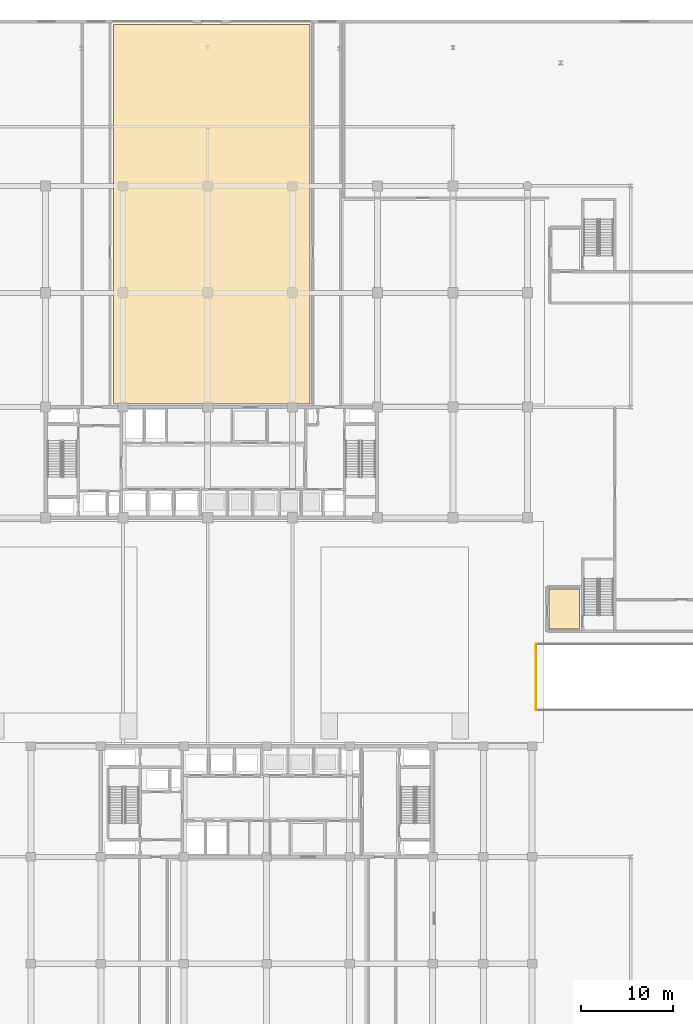
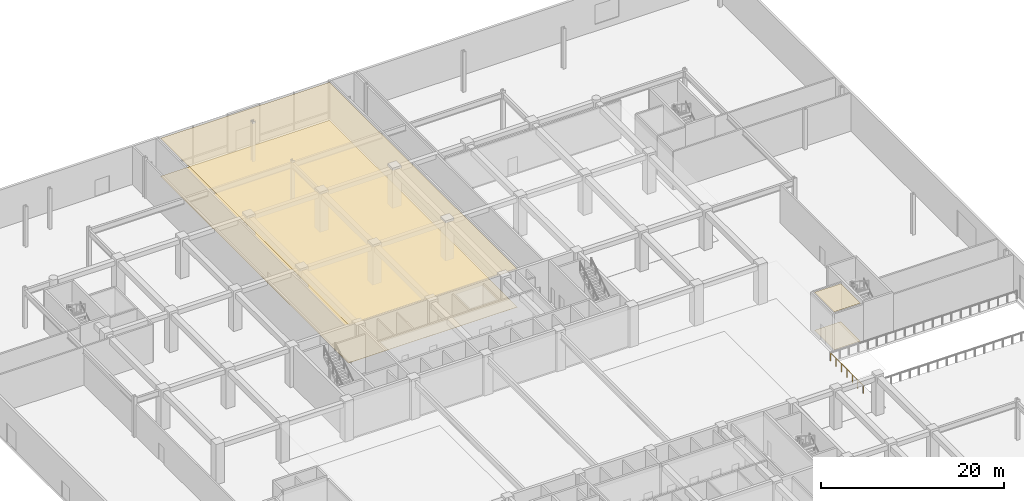
# One storey, part 42 of 46: 4 coverings, 1 railing.
"""IFC4 building model written with IfcOpenShell, lengths in metres."""

import ifcopenshell
import ifcopenshell.guid

model = None  # the IFC model being written
_history = None  # IfcOwnerHistory: only IFC2X3 demands one
_inside = {}  # id of a spatial element -> (the spatial element, [elements in it])
_under = {}  # id of a project, library or spatial element -> (it, [spatial elements below it])
_declared = {}  # id of a project -> (the project, [libraries it declares])
_typed = {}  # id of a type object -> (the type object, [elements of that type])
_made_of = {}  # id of a material, layer set ... -> (it, [elements and type objects made of it])


def new_model(schema):
    """Start an empty IFC model of exactly this schema.

    Asked for "IFC4X3", IfcOpenShell would pick the latest addendum, in which some entities
    have other attributes; the version numbers below select the first issue.
    IFC2X3 requires an IfcOwnerHistory on every rooted entity: one is made here for all.
    """
    global model, _history
    if schema == "IFC4X3":
        model = ifcopenshell.file(schema_version=(4, 3, 0, 0))
    else:
        model = ifcopenshell.file(schema=schema)
    _inside.clear()
    _under.clear()
    _declared.clear()
    _typed.clear()
    _made_of.clear()
    _history = None
    if model.schema == "IFC2X3":
        org = make("IfcOrganization", Name="unknown")
        user = make(
            "IfcPersonAndOrganization",
            ThePerson=make("IfcPerson", FamilyName="unknown"),
            TheOrganization=org,
        )
        app = make(
            "IfcApplication",
            ApplicationDeveloper=org,
            Version="unknown",
            ApplicationFullName="unknown",
            ApplicationIdentifier="unknown",
        )
        _history = make(
            "IfcOwnerHistory",
            OwningUser=user,
            OwningApplication=app,
            ChangeAction="ADDED",
            CreationDate=0,
        )
    return model


def make(cls, **values):
    """One entity of the class cls with the attributes given. An attribute that is None is left unset."""
    return model.create_entity(
        cls, **{name: value for name, value in values.items() if value is not None}
    )


def rooted(cls, **values):
    """An entity with a GlobalId (a new one), such as an element, a storey or a relation."""
    return make(cls, GlobalId=ifcopenshell.guid.new(), OwnerHistory=_history, **values)


def si_unit(unit_type, name, prefix=None):
    """IfcSIUnit, for example si_unit("LENGTHUNIT", "METRE", prefix="MILLI")."""
    return make("IfcSIUnit", UnitType=unit_type, Prefix=prefix, Name=name)


def assignment(units):
    """IfcUnitAssignment: the units of a project."""
    return None if units is None else make("IfcUnitAssignment", Units=units)


def point(xyz):
    """IfcCartesianPoint."""
    return None if xyz is None else make("IfcCartesianPoint", Coordinates=xyz)


def direction(xyz):
    """IfcDirection."""
    return None if xyz is None else make("IfcDirection", DirectionRatios=xyz)


def frame(location, z_axis=None, x_axis=None):
    """IfcAxis2Placement3D, a coordinate frame: its origin and axes. An axis left out is left unset."""
    return make(
        "IfcAxis2Placement3D",
        Location=point(location),
        Axis=direction(z_axis),
        RefDirection=direction(x_axis),
    )


def frame_2d(location, x_axis=None):
    """IfcAxis2Placement2D, a coordinate frame in the plane: its origin and x axis."""
    return make(
        "IfcAxis2Placement2D", Location=point(location), RefDirection=direction(x_axis)
    )


def origin():
    """The frame at (0, 0, 0) with its axes left unset."""
    return frame((0.0, 0.0, 0.0))


def origin_2d():
    """The frame at (0, 0) in the plane with its x axis left unset."""
    return frame_2d((0.0, 0.0))


def place(relative_to, where):
    """IfcLocalPlacement: puts the frame where relative to a parent placement (None: the world)."""
    return make(
        "IfcLocalPlacement", PlacementRelTo=relative_to, RelativePlacement=where
    )


def context(
    kind, dimensions, precision=None, world=None, true_north=None, identifier=None
):
    """IfcGeometricRepresentationContext, for example the 3D "Model" context."""
    return make(
        "IfcGeometricRepresentationContext",
        ContextIdentifier=identifier,
        ContextType=kind,
        CoordinateSpaceDimension=dimensions,
        Precision=precision,
        WorldCoordinateSystem=world,
        TrueNorth=true_north,
    )


def subcontext(parent, identifier, kind, view, scale=None):
    """IfcGeometricRepresentationSubContext, for example "Body" below "Model"."""
    return make(
        "IfcGeometricRepresentationSubContext",
        ContextIdentifier=identifier,
        ContextType=kind,
        ParentContext=parent,
        TargetScale=scale,
        TargetView=view,
    )


def project(units=None, contexts=None):
    """IfcProject with its units and contexts."""
    return rooted(
        "IfcProject",
        Name="project",
        RepresentationContexts=contexts,
        UnitsInContext=assignment(units),
    )


def spatial(cls, under=None, at=None, **own):
    """A site, building, storey or space (cls), placed at a placement, below another one or the project."""
    s = rooted(cls, ObjectPlacement=at, **own)
    if under is not None:
        _under.setdefault(under.id(), (under, []))[1].append(s)
    return s


def polyline(points):
    """IfcPolyline through the points."""
    return make("IfcPolyline", Points=[point(p) for p in points])


def profile(cls, at=None, kind="AREA", **sizes):
    """A parametric profile (cls). Its sizes go by their IFC names, for example OverallWidth=200.0."""
    return make(cls, ProfileType=kind, Position=at, **sizes)


def circle(**sizes):
    """IfcCircleProfileDef."""
    return profile("IfcCircleProfileDef", **sizes)


def outline(outer, holes=None, kind="AREA"):
    """IfcArbitraryClosedProfileDef: a profile drawn as a closed curve; with holes, ...WithVoids."""
    if holes is None:
        return make("IfcArbitraryClosedProfileDef", ProfileType=kind, OuterCurve=outer)
    return make(
        "IfcArbitraryProfileDefWithVoids",
        ProfileType=kind,
        OuterCurve=outer,
        InnerCurves=holes,
    )


def extrude(swept, where, along, depth):
    """IfcExtrudedAreaSolid: the profile swept, set in the frame where, extruded along a direction by depth."""
    return make(
        "IfcExtrudedAreaSolid",
        SweptArea=swept,
        Position=where,
        ExtrudedDirection=direction(along),
        Depth=depth,
    )


def shape(context_of_items, identifier, shape_type, items):
    """IfcShapeRepresentation: the items that make up one representation, for example the "Body"."""
    return make(
        "IfcShapeRepresentation",
        ContextOfItems=context_of_items,
        RepresentationIdentifier=identifier,
        RepresentationType=shape_type,
        Items=items,
    )


def material(Name=None, Category=None):
    """IfcMaterial."""
    return make("IfcMaterial", Name=Name, Category=Category)


def layer(
    of_material, thickness, ventilated=None, Name=None, Category=None, Priority=None
):
    """IfcMaterialLayer: one layer of a wall or slab, of a material (None: an air gap)."""
    return make(
        "IfcMaterialLayer",
        Material=of_material,
        LayerThickness=thickness,
        IsVentilated=ventilated,
        Name=Name,
        Category=Category,
        Priority=Priority,
    )


def layer_set(layers, Name=None):
    """IfcMaterialLayerSet."""
    return make("IfcMaterialLayerSet", MaterialLayers=layers, LayerSetName=Name)


def made_of(thing, what):
    """Note that an element or type object is made of a material, layer set ...; save() writes the relation."""
    if what is not None:
        _made_of.setdefault(what.id(), (what, []))[1].append(thing)
    return thing


def type_object(cls, material=None, **own):
    """A type object (cls), such as IfcWallType, which elements share."""
    return made_of(rooted(cls, **own), material)


def element(
    cls,
    number,
    at=None,
    inside=None,
    cuts=None,
    type_object=None,
    material=None,
    context=None,
    identifier="Body",
    shape_type=None,
    held_by="IfcProductDefinitionShape",
    body=None,
    shapes=None,
    **own,
):
    """One element of the class cls, such as IfcWall. Its Tag is "e" and its number.

    at: its placement. inside: the storey or other place that contains it. cuts: it is an
    opening in that element (IfcRelVoidsElement). A single representation is given by context,
    identifier, shape_type and body (its items); several are given by shapes. held_by: the class
    of the entity that holds the representations. save() writes the other relations.
    """
    e = rooted(cls, Tag="e%d" % number, ObjectPlacement=at, **own)
    if body is not None:
        shapes = [shape(context, identifier, shape_type, body)]
    if shapes is not None:
        e.Representation = make(held_by, Representations=shapes)
    if inside is not None:
        _inside.setdefault(inside.id(), (inside, []))[1].append(e)
    if cuts is not None:
        rooted(
            "IfcRelVoidsElement", RelatingBuildingElement=cuts, RelatedOpeningElement=e
        )
    if type_object is not None:
        _typed.setdefault(type_object.id(), (type_object, []))[1].append(e)
    return made_of(e, material)


def aggregate(whole, parts):
    """IfcRelAggregates: a whole, such as a stair, and the parts it consists of."""
    return rooted("IfcRelAggregates", RelatingObject=whole, RelatedObjects=parts)


def save(model, path):
    """Write the relations noted so far, then the file.

    IfcRelAggregates (storeys below a building ...), IfcRelContainedInSpatialStructure (elements
    in a storey), IfcRelDefinesByType, IfcRelAssociatesMaterial and IfcRelDeclares: one each for
    every whole, place, type object, material and project.
    """
    for whole, parts in _under.values():
        aggregate(whole, parts)
    for where, things in _inside.values():
        rooted(
            "IfcRelContainedInSpatialStructure",
            RelatedElements=things,
            RelatingStructure=where,
        )
    for kind, things in _typed.values():
        rooted("IfcRelDefinesByType", RelatedObjects=things, RelatingType=kind)
    for what, things in _made_of.values():
        rooted("IfcRelAssociatesMaterial", RelatedObjects=things, RelatingMaterial=what)
    for by, libraries in _declared.values():
        rooted("IfcRelDeclares", RelatingContext=by, RelatedDefinitions=libraries)
    model.write(path)


model = new_model("IFC4")

# Units and contexts
model_context = context("Model", 3, precision=1e-05, world=origin(), true_north=direction((0.0, 1.0)))
body_context = subcontext(model_context, "Body", "Model", "MODEL_VIEW")
ifc_project = project(units=[si_unit("LENGTHUNIT", "METRE"), si_unit("AREAUNIT", "SQUARE_METRE"), si_unit("VOLUMEUNIT", "CUBIC_METRE"), si_unit("PLANEANGLEUNIT", "RADIAN"), si_unit("MASSUNIT", "GRAM", prefix="KILO")], contexts=[model_context])

# Site, building, storey
site_placement = place(None, origin())
site = spatial("IfcSite", under=ifc_project, at=site_placement, CompositionType="ELEMENT")
building_placement = place(site_placement, origin())
building = spatial("IfcBuilding", under=site, at=building_placement, Name="Korimba Cascade Residences", CompositionType="ELEMENT")
storey_placement = place(building_placement, origin())
storey = spatial("IfcBuildingStorey", under=building, at=storey_placement, Name="L00", CompositionType="ELEMENT", Elevation=0.0)

# Coverings
ifc_material_1 = material(Name="Perforated Acoustic Gypsum Ceiling", Category="gypsum")
ifc_layer_1 = layer(ifc_material_1, 0.02490234375)
ifc_layer_set_1 = layer_set([ifc_layer_1], Name="Perforated Acoustic Gypsum Ceiling")
covering_type_1 = type_object("IfcCoveringType", Name="COV-CLG-AC", PredefinedType="CEILING", material=ifc_layer_set_1)
covering_1_placement = place(storey_placement, frame((0.0, 0.0, 5.074951171875)))
element("IfcCovering", 1, at=covering_1_placement, inside=storey, type_object=covering_type_1, Name="L00 Suspended Acoustic Ceiling L00-PLE", PredefinedType="CEILING", context=body_context, shape_type="SweptSolid", body=[
    extrude(outline(polyline([(130.75, 43.14990234375), (134.050048828125, 43.14990234375), (134.050048828125, 47.449951171875), (130.75, 47.449951171875), (130.75, 43.14990234375)])), origin(), (0.0, 0.0, 1.0), 0.025146484375),
])
covering_2_placement = place(storey_placement, frame((0.0, 0.0, 5.074951171875)))
element("IfcCovering", 2, at=covering_2_placement, inside=storey, type_object=covering_type_1, Name="L00 Suspended Acoustic Ceiling L00-LB2", PredefinedType="CEILING", context=body_context, shape_type="SweptSolid", body=[
    extrude(outline(polyline([(83.449951171875, 67.550048828125), (104.800048828125, 67.550048828125), (104.800048828125, 108.699951171875), (83.449951171875, 108.699951171875), (83.449951171875, 67.550048828125)])), origin(), (0.0, 0.0, 1.0), 0.025146484375),
])
ifc_material_2 = material(Name="Honed Travertine Stone Flooring", Category="masonry")
ifc_layer_2 = layer(ifc_material_2, 0.02490234375)
ifc_layer_set_2 = layer_set([ifc_layer_2], Name="Honed Travertine Stone Flooring")
covering_type_2 = type_object("IfcCoveringType", Name="COV-FLR-STN", PredefinedType="FLOORING", material=ifc_layer_set_2)
covering_3_placement = place(storey_placement, origin())
element("IfcCovering", 3, at=covering_3_placement, inside=storey, type_object=covering_type_2, Name="L00 Honed Travertine Stone Flooring L00-PLE", PredefinedType="FLOORING", context=body_context, shape_type="SweptSolid", body=[
    extrude(outline(polyline([(130.75, 43.14990234375), (134.050048828125, 43.14990234375), (134.050048828125, 47.449951171875), (130.75, 47.449951171875), (130.75, 43.14990234375)])), origin(), (0.0, 0.0, 1.0), 0.02490234375),
])
covering_4_placement = place(storey_placement, origin())
element("IfcCovering", 4, at=covering_4_placement, inside=storey, type_object=covering_type_2, Name="L00 Honed Travertine Stone Flooring L00-LB2", PredefinedType="FLOORING", context=body_context, shape_type="SweptSolid", body=[
    extrude(outline(polyline([(83.449951171875, 67.550048828125), (104.800048828125, 67.550048828125), (104.800048828125, 108.699951171875), (83.449951171875, 108.699951171875), (83.449951171875, 67.550048828125)])), origin(), (0.0, 0.0, 1.0), 0.02490234375),
])

# Railing
ifc_material_3 = material(Name="Painted Galvanised Steel Terrace Guardrail", Category="steel")
railing_type = type_object("IfcRailingType", Name="RLG-TER-1150", PredefinedType="GUARDRAIL", material=ifc_material_3)
railing_placement = place(storey_placement, frame((129.320068359375, 34.320068359375, 0.0)))
element("IfcRailing", 5, at=railing_placement, inside=storey, type_object=railing_type, Name="L00 Ramp Well W Guardrail", PredefinedType="GUARDRAIL", context=body_context, shape_type="SweptSolid", body=[
    extrude(circle(Radius=0.02392578125, at=origin_2d()), frame((0.0, 0.0, 1.1259765625), z_axis=(0.0, 1.0, 0.0), x_axis=(-1.0, 0.0, 0.0)), (0.0, 0.0, 1.0), 7.159912109375),
    extrude(circle(Radius=0.02099609375, at=origin_2d()), origin(), (0.0, 0.0, 1.0), 1.101806640625),
    extrude(circle(Radius=0.02099609375, at=origin_2d()), frame((0.0, 1.193359375, 0.0)), (0.0, 0.0, 1.0), 1.101806640625),
    extrude(circle(Radius=0.02099609375, at=origin_2d()), frame((0.0, 2.38671875, 0.0)), (0.0, 0.0, 1.0), 1.101806640625),
    extrude(circle(Radius=0.02099609375, at=origin_2d()), frame((0.0, 3.580078125, 0.0)), (0.0, 0.0, 1.0), 1.101806640625),
    extrude(circle(Radius=0.02099609375, at=origin_2d()), frame((0.0, 4.773193359375, 0.0)), (0.0, 0.0, 1.0), 1.101806640625),
    extrude(circle(Radius=0.02099609375, at=origin_2d()), frame((0.0, 5.966552734375, 0.0)), (0.0, 0.0, 1.0), 1.101806640625),
    extrude(circle(Radius=0.02099609375, at=origin_2d()), frame((0.0, 7.159912109375, 0.0)), (0.0, 0.0, 1.0), 1.101806640625),
])

save(model, "model.ifc")
